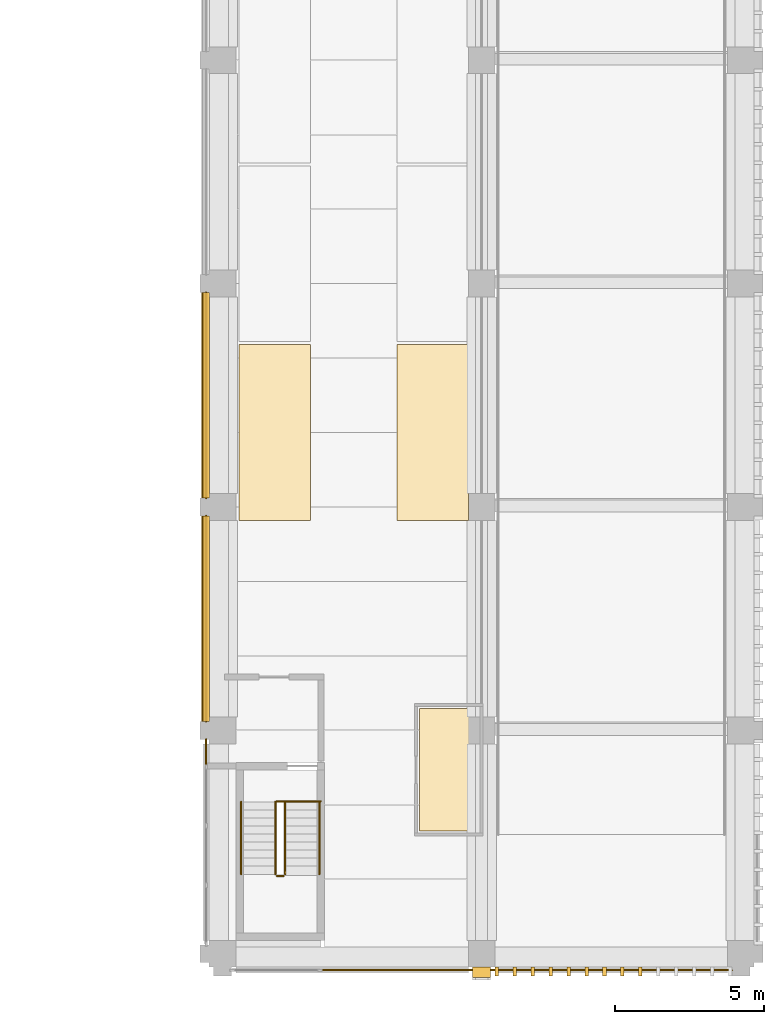
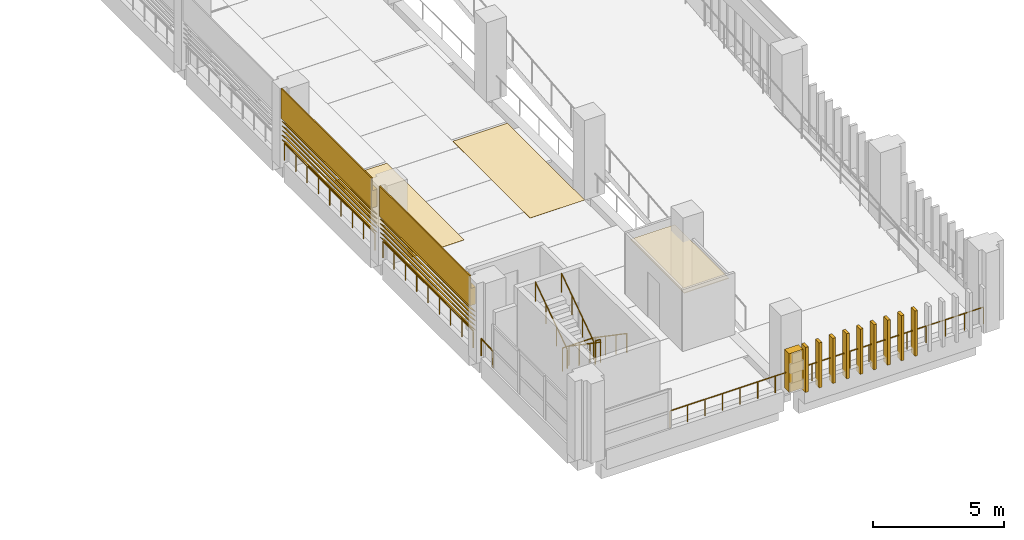
# One storey, part 47 of 57: 15 coverings, 11 railings, 10 shading devices.
"""IFC4 building model written with IfcOpenShell, lengths in metres."""

from ifc_helpers import new_model, si_unit, direction, frame, origin, origin_2d, place, context, subcontext, project, spatial, polyline, circle, outline, extrude, material, layer, layer_set, type_object, element, save


model = new_model("IFC4")

# Units and contexts
model_context = context("Model", 3, precision=1e-05, world=origin(), true_north=direction((0.0, 1.0)))
body_context = subcontext(model_context, "Body", "Model", "MODEL_VIEW")
ifc_project = project(units=[si_unit("LENGTHUNIT", "METRE"), si_unit("AREAUNIT", "SQUARE_METRE"), si_unit("VOLUMEUNIT", "CUBIC_METRE"), si_unit("PLANEANGLEUNIT", "RADIAN"), si_unit("MASSUNIT", "GRAM", prefix="KILO")], contexts=[model_context])

# Site, building, storey
site_placement = place(None, origin())
site = spatial("IfcSite", under=ifc_project, at=site_placement, CompositionType="ELEMENT")
building_placement = place(site_placement, origin())
building = spatial("IfcBuilding", under=site, at=building_placement, Name="Cour d'Honneur Mobility Palace", CompositionType="ELEMENT")
storey_placement = place(building_placement, frame((0.0, 0.0, 8.199951171875)))
storey = spatial("IfcBuildingStorey", under=building, at=storey_placement, Name="L02", CompositionType="ELEMENT", Elevation=8.199951171875)

# Railings
ifc_material_1 = material(Name="Painted steel", Category="steel")
railing_type_1 = type_object("IfcRailingType", Name="Balustrade", PredefinedType="BALUSTRADE", material=ifc_material_1)
for number, where, name in (
    (1, (144.35009765625, 22.199951171875, 0.300048828125), "Balustrade BAL-91"),
    (2, (144.35009765625, 14.699951171875, 0.300048828125), "Balustrade BAL-92"),
):
    element("IfcRailing", number, at=place(storey_placement, frame(where)), inside=storey, type_object=railing_type_1, Name=name, PredefinedType="BALUSTRADE", context=body_context, shape_type="SweptSolid", body=[
        extrude(circle(Radius=0.02392578125, at=origin_2d()), frame((0.0, 0.0, 0.77587890625), z_axis=(0.0, -1.0, 0.0), x_axis=(1.0, 0.0, 0.0)), (0.0, 0.0, 1.0), 6.89990234375),
        extrude(circle(Radius=0.02099609375, at=origin_2d()), origin(), (0.0, 0.0, 1.0), 0.751953125),
        extrude(circle(Radius=0.02099609375, at=origin_2d()), frame((0.0, -0.862548828125, 0.0)), (0.0, 0.0, 1.0), 0.751953125),
        extrude(circle(Radius=0.02099609375, at=origin_2d()), frame((0.0, -1.72509765625, 0.0)), (0.0, 0.0, 1.0), 0.751953125),
        extrude(circle(Radius=0.02099609375, at=origin_2d()), frame((0.0, -2.58740234375, 0.0)), (0.0, 0.0, 1.0), 0.751953125),
        extrude(circle(Radius=0.02099609375, at=origin_2d()), frame((0.0, -3.449951171875, 0.0)), (0.0, 0.0, 1.0), 0.751953125),
        extrude(circle(Radius=0.02099609375, at=origin_2d()), frame((0.0, -4.3125, 0.0)), (0.0, 0.0, 1.0), 0.751953125),
        extrude(circle(Radius=0.02099609375, at=origin_2d()), frame((0.0, -5.1748046875, 0.0)), (0.0, 0.0, 1.0), 0.751953125),
        extrude(circle(Radius=0.02099609375, at=origin_2d()), frame((0.0, -6.037353515625, 0.0)), (0.0, 0.0, 1.0), 0.751953125),
        extrude(circle(Radius=0.02099609375, at=origin_2d()), frame((0.0, -6.89990234375, 0.0)), (0.0, 0.0, 1.0), 0.751953125),
    ])
railing_1_placement = place(storey_placement, frame((144.35009765625, 7.199951171875, 0.300048828125)))
element("IfcRailing", 3, at=railing_1_placement, inside=storey, type_object=railing_type_1, Name="Balustrade BAL-93", PredefinedType="BALUSTRADE", context=body_context, shape_type="SweptSolid", body=[
    extrude(circle(Radius=0.02392578125, at=origin_2d()), frame((0.0, 0.0, 0.77587890625), z_axis=(0.0, -1.0, 0.0), x_axis=(1.0, 0.0, 0.0)), (0.0, 0.0, 1.0), 0.89990234375),
    extrude(circle(Radius=0.02099609375, at=origin_2d()), origin(), (0.0, 0.0, 1.0), 0.751953125),
    extrude(circle(Radius=0.02099609375, at=origin_2d()), frame((0.0, -0.89990234375, 0.0)), (0.0, 0.0, 1.0), 0.751953125),
])
railing_2_placement = place(storey_placement, frame((148.199951171875, -0.550048828125, 0.300048828125)))
element("IfcRailing", 4, at=railing_2_placement, inside=storey, type_object=railing_type_1, Name="Balustrade BAL-94", PredefinedType="BALUSTRADE", context=body_context, shape_type="SweptSolid", body=[
    extrude(circle(Radius=0.02392578125, at=origin_2d()), frame((0.0, 0.0, 0.77587890625), z_axis=(1.0, 0.0, 0.0), x_axis=(0.0, 1.0, 0.0)), (0.0, 0.0, 1.0), 5.400146484375),
    extrude(circle(Radius=0.02099609375, at=origin_2d()), origin(), (0.0, 0.0, 1.0), 0.751953125),
    extrude(circle(Radius=0.02099609375, at=origin_2d()), frame((0.771484375, 0.0, 0.0)), (0.0, 0.0, 1.0), 0.751953125),
    extrude(circle(Radius=0.02099609375, at=origin_2d()), frame((1.54296875, 0.0, 0.0)), (0.0, 0.0, 1.0), 0.751953125),
    extrude(circle(Radius=0.02099609375, at=origin_2d()), frame((2.314453125, 0.0, 0.0)), (0.0, 0.0, 1.0), 0.751953125),
    extrude(circle(Radius=0.02099609375, at=origin_2d()), frame((3.085693359375, 0.0, 0.0)), (0.0, 0.0, 1.0), 0.751953125),
    extrude(circle(Radius=0.02099609375, at=origin_2d()), frame((3.857177734375, 0.0, 0.0)), (0.0, 0.0, 1.0), 0.751953125),
    extrude(circle(Radius=0.02099609375, at=origin_2d()), frame((4.628662109375, 0.0, 0.0)), (0.0, 0.0, 1.0), 0.751953125),
    extrude(circle(Radius=0.02099609375, at=origin_2d()), frame((5.400146484375, 0.0, 0.0)), (0.0, 0.0, 1.0), 0.751953125),
])
railing_3_placement = place(storey_placement, frame((153.60009765625, -0.550048828125, 0.300048828125)))
element("IfcRailing", 5, at=railing_3_placement, inside=storey, type_object=railing_type_1, Name="Balustrade BAL-95", PredefinedType="BALUSTRADE", context=body_context, shape_type="SweptSolid", body=[
    extrude(circle(Radius=0.02392578125, at=origin_2d()), frame((0.0, 0.0, 0.77587890625), z_axis=(1.0, 0.0, 0.0), x_axis=(0.0, 1.0, 0.0)), (0.0, 0.0, 1.0), 8.39990234375),
    extrude(circle(Radius=0.02099609375, at=origin_2d()), origin(), (0.0, 0.0, 1.0), 0.751953125),
    extrude(circle(Radius=0.02099609375, at=origin_2d()), frame((0.840087890625, 0.0, 0.0)), (0.0, 0.0, 1.0), 0.751953125),
    extrude(circle(Radius=0.02099609375, at=origin_2d()), frame((1.679931640625, 0.0, 0.0)), (0.0, 0.0, 1.0), 0.751953125),
    extrude(circle(Radius=0.02099609375, at=origin_2d()), frame((2.52001953125, 0.0, 0.0)), (0.0, 0.0, 1.0), 0.751953125),
    extrude(circle(Radius=0.02099609375, at=origin_2d()), frame((3.35986328125, 0.0, 0.0)), (0.0, 0.0, 1.0), 0.751953125),
    extrude(circle(Radius=0.02099609375, at=origin_2d()), frame((4.199951171875, 0.0, 0.0)), (0.0, 0.0, 1.0), 0.751953125),
    extrude(circle(Radius=0.02099609375, at=origin_2d()), frame((5.0400390625, 0.0, 0.0)), (0.0, 0.0, 1.0), 0.751953125),
    extrude(circle(Radius=0.02099609375, at=origin_2d()), frame((5.8798828125, 0.0, 0.0)), (0.0, 0.0, 1.0), 0.751953125),
    extrude(circle(Radius=0.02099609375, at=origin_2d()), frame((6.719970703125, 0.0, 0.0)), (0.0, 0.0, 1.0), 0.751953125),
    extrude(circle(Radius=0.02099609375, at=origin_2d()), frame((7.559814453125, 0.0, 0.0)), (0.0, 0.0, 1.0), 0.751953125),
    extrude(circle(Radius=0.02099609375, at=origin_2d()), frame((8.39990234375, 0.0, 0.0)), (0.0, 0.0, 1.0), 0.751953125),
])
ifc_material_2 = material(Name="Painted steel", Category="steel")
railing_type_2 = type_object("IfcRailingType", Name="Guardrail 1100", PredefinedType="GUARDRAIL", material=ifc_material_2)
railing_4_placement = place(storey_placement, frame((146.72509765625, 5.1201171875, 0.0)))
element("IfcRailing", 6, at=railing_4_placement, inside=storey, type_object=railing_type_2, Name="Guard ST-RE1", PredefinedType="GUARDRAIL", context=body_context, shape_type="SweptSolid", body=[
    extrude(circle(Radius=0.02490234375, at=origin_2d()), frame((0.0, 0.0, 1.0751953125), z_axis=(1.0, 0.0, 0.0), x_axis=(0.0, 1.0, 0.0)), (0.0, 0.0, 1.0), 1.474853515625),
    extrude(circle(Radius=0.02099609375, at=origin_2d()), origin(), (0.0, 0.0, 1.0), 1.050048828125),
    extrude(circle(Radius=0.02099609375, at=origin_2d()), frame((0.7373046875, 0.0, 0.0)), (0.0, 0.0, 1.0), 1.050048828125),
    extrude(circle(Radius=0.02099609375, at=origin_2d()), frame((1.474853515625, 0.0, 0.0)), (0.0, 0.0, 1.0), 1.050048828125),
])
railing_5_placement = place(storey_placement, frame((146.72509765625, 2.610107421875, 1.85009765625)))
element("IfcRailing", 7, at=railing_5_placement, inside=storey, type_object=railing_type_2, Name="Landing guard ST-RE1", PredefinedType="GUARDRAIL", context=body_context, shape_type="SweptSolid", body=[
    extrude(circle(Radius=0.02490234375, at=origin_2d()), frame((0.0, 0.0, 1.0751953125), z_axis=(1.0, 0.0, 0.0), x_axis=(0.0, 1.0, 0.0)), (0.0, 0.0, 1.0), 0.224853515625),
    extrude(circle(Radius=0.02099609375, at=origin_2d()), origin(), (0.0, 0.0, 1.0), 1.050048828125),
    extrude(circle(Radius=0.02099609375, at=origin_2d()), frame((0.224853515625, 0.0, 0.0)), (0.0, 0.0, 1.0), 1.050048828125),
])
ifc_material_3 = material(Name="Stainless steel", Category="steel")
railing_type_3 = type_object("IfcRailingType", Name="Handrail round 50", PredefinedType="HANDRAIL", material=ifc_material_3)
for number, where, name in (
    (8, (148.14990234375, 5.10009765625, 0.18505859375), "Handrail ST-RE1"),
    (9, (147.0, 5.10009765625, 0.18505859375), "Handrail ST-RE1"),
):
    element("IfcRailing", number, at=place(storey_placement, frame(where)), inside=storey, type_object=railing_type_3, Name=name, PredefinedType="HANDRAIL", context=body_context, shape_type="SweptSolid", body=[
        extrude(circle(Radius=0.02490234375, at=origin_2d()), frame((0.0, 0.0, 0.89501953125), z_axis=(0.0, -0.824945253146, 0.565212640793), x_axis=(1.0, 0.0, 0.0)), (0.0, 0.0, 1.0), 2.94580078125),
        extrude(circle(Radius=0.02099609375, at=origin_2d()), origin(), (0.0, 0.0, 1.0), 0.869873046875),
        extrude(circle(Radius=0.02099609375, at=origin_2d()), frame((0.0, -0.81005859375, 0.554931640625)), (0.0, 0.0, 1.0), 0.869873046875),
        extrude(circle(Radius=0.02099609375, at=origin_2d()), frame((0.0, -1.6201171875, 1.110107421875)), (0.0, 0.0, 1.0), 0.869873046875),
        extrude(circle(Radius=0.02099609375, at=origin_2d()), frame((0.0, -2.43017578125, 1.6650390625)), (0.0, 0.0, 1.0), 0.869873046875),
    ])
for number, where, name in (
    (10, (146.675048828125, 2.669921875, 2.03515625), "Handrail ST-RE1"),
    (11, (145.52490234375, 2.669921875, 2.03515625), "Handrail ST-RE1"),
):
    element("IfcRailing", number, at=place(storey_placement, frame(where)), inside=storey, type_object=railing_type_3, Name=name, PredefinedType="HANDRAIL", context=body_context, shape_type="SweptSolid", body=[
        extrude(circle(Radius=0.02490234375, at=origin_2d()), frame((0.0, 0.0, 0.89501953125), z_axis=(0.0, 0.824983895463, 0.565156237006), x_axis=(-1.0, 0.0, 0.0)), (0.0, 0.0, 1.0), 2.94580078125),
        extrude(circle(Radius=0.02099609375, at=origin_2d()), origin(), (0.0, 0.0, 1.0), 0.869873046875),
        extrude(circle(Radius=0.02099609375, at=origin_2d()), frame((0.0, 0.81005859375, 0.554931640625)), (0.0, 0.0, 1.0), 0.869873046875),
        extrude(circle(Radius=0.02099609375, at=origin_2d()), frame((0.0, 1.6201171875, 1.10986328125)), (0.0, 0.0, 1.0), 0.869873046875),
        extrude(circle(Radius=0.02099609375, at=origin_2d()), frame((0.0, 2.43017578125, 1.664794921875)), (0.0, 0.0, 1.0), 0.869873046875),
    ])

# Coverings
ifc_material_4 = material(Name="Parking marking paint")
ifc_layer_1 = layer(ifc_material_4, 0.0048828125)
ifc_layer_set_1 = layer_set([ifc_layer_1], Name="Parking marking paint")
covering_type_1 = type_object("IfcCoveringType", Name="Parking bay marking", PredefinedType="FLOORING", material=ifc_layer_set_1)
covering_1_placement = place(storey_placement, origin())
element("IfcCovering", 12, at=covering_1_placement, inside=storey, type_object=covering_type_1, Name="Parking bay marking L02 78", PredefinedType="FLOORING", context=body_context, shape_type="SweptSolid", body=[
    extrude(outline(polyline([(153.14990234375, 14.550048828125), (150.75, 14.550048828125), (150.75, 20.449951171875), (153.14990234375, 20.449951171875), (153.14990234375, 14.550048828125)])), origin(), (0.0, 0.0, 1.0), 0.005126953125),
])
covering_2_placement = place(storey_placement, origin())
element("IfcCovering", 13, at=covering_2_placement, inside=storey, type_object=covering_type_1, Name="Parking bay marking L02 82", PredefinedType="FLOORING", context=body_context, shape_type="SweptSolid", body=[
    extrude(outline(polyline([(147.85009765625, 14.550048828125), (145.449951171875, 14.550048828125), (145.449951171875, 20.449951171875), (147.85009765625, 20.449951171875), (147.85009765625, 14.550048828125)])), origin(), (0.0, 0.0, 1.0), 0.005126953125),
])
ifc_material_5 = material(Name="Cast limestone", Category="masonry")
ifc_layer_2 = layer(ifc_material_5, 0.35009765625)
ifc_layer_set_2 = layer_set([ifc_layer_2], Name="Cast limestone")
covering_type_2 = type_object("IfcCoveringType", Name="Pier pilaster", PredefinedType="CLADDING", material=ifc_layer_set_2)
covering_3_placement = place(storey_placement, frame((0.0, 0.0, 0.300048828125)))
element("IfcCovering", 14, at=covering_3_placement, inside=storey, type_object=covering_type_2, Name="Pier pilaster PN-4", PredefinedType="CLADDING", context=body_context, shape_type="SweptSolid", body=[
    extrude(outline(polyline([(153.300048828125, -0.449951171875), (153.89990234375, -0.449951171875), (153.89990234375, -0.800048828125), (153.300048828125, -0.800048828125), (153.300048828125, -0.449951171875)])), origin(), (0.0, 0.0, 1.0), 1.800048828125),
])
ifc_material_6 = material(Name="Cast limestone", Category="masonry")
ifc_layer_3 = layer(ifc_material_6, 0.1201171875)
ifc_layer_set_3 = layer_set([ifc_layer_3], Name="Cast limestone")
covering_type_3 = type_object("IfcCoveringType", Name="Ramp screen fin", PredefinedType="CLADDING", material=ifc_layer_set_3)
covering_4_placement = place(storey_placement, origin())
element("IfcCovering", 15, at=covering_4_placement, inside=storey, type_object=covering_type_3, Name="Ramp screen fin S4.1 L02 1", PredefinedType="CLADDING", context=body_context, shape_type="SweptSolid", body=[
    extrude(outline(polyline([(154.050048828125, -0.449951171875), (154.169921875, -0.449951171875), (154.169921875, -0.75), (154.050048828125, -0.75), (154.050048828125, -0.449951171875)])), origin(), (0.0, 0.0, 1.0), 2.10009765625),
])
covering_5_placement = place(storey_placement, origin())
element("IfcCovering", 16, at=covering_5_placement, inside=storey, type_object=covering_type_3, Name="Ramp screen fin S4.1 L02 2", PredefinedType="CLADDING", context=body_context, shape_type="SweptSolid", body=[
    extrude(outline(polyline([(154.65234375, -0.449951171875), (154.772216796875, -0.449951171875), (154.772216796875, -0.75), (154.65234375, -0.75), (154.65234375, -0.449951171875)])), origin(), (0.0, 0.0, 1.0), 2.10009765625),
])
covering_6_placement = place(storey_placement, origin())
element("IfcCovering", 17, at=covering_6_placement, inside=storey, type_object=covering_type_3, Name="Ramp screen fin S4.1 L02 3", PredefinedType="CLADDING", context=body_context, shape_type="SweptSolid", body=[
    extrude(outline(polyline([(155.254638671875, -0.449951171875), (155.37451171875, -0.449951171875), (155.37451171875, -0.75), (155.254638671875, -0.75), (155.254638671875, -0.449951171875)])), origin(), (0.0, 0.0, 1.0), 2.10009765625),
])
covering_7_placement = place(storey_placement, origin())
element("IfcCovering", 18, at=covering_7_placement, inside=storey, type_object=covering_type_3, Name="Ramp screen fin S4.1 L02 4", PredefinedType="CLADDING", context=body_context, shape_type="SweptSolid", body=[
    extrude(outline(polyline([(155.85693359375, -0.449951171875), (155.976806640625, -0.449951171875), (155.976806640625, -0.75), (155.85693359375, -0.75), (155.85693359375, -0.449951171875)])), origin(), (0.0, 0.0, 1.0), 2.10009765625),
])
covering_8_placement = place(storey_placement, origin())
element("IfcCovering", 19, at=covering_8_placement, inside=storey, type_object=covering_type_3, Name="Ramp screen fin S4.1 L02 5", PredefinedType="CLADDING", context=body_context, shape_type="SweptSolid", body=[
    extrude(outline(polyline([(156.459228515625, -0.449951171875), (156.579345703125, -0.449951171875), (156.579345703125, -0.75), (156.459228515625, -0.75), (156.459228515625, -0.449951171875)])), origin(), (0.0, 0.0, 1.0), 2.10009765625),
])
covering_9_placement = place(storey_placement, origin())
element("IfcCovering", 20, at=covering_9_placement, inside=storey, type_object=covering_type_3, Name="Ramp screen fin S4.1 L02 6", PredefinedType="CLADDING", context=body_context, shape_type="SweptSolid", body=[
    extrude(outline(polyline([(157.0615234375, -0.449951171875), (157.181640625, -0.449951171875), (157.181640625, -0.75), (157.0615234375, -0.75), (157.0615234375, -0.449951171875)])), origin(), (0.0, 0.0, 1.0), 2.10009765625),
])
covering_10_placement = place(storey_placement, origin())
element("IfcCovering", 21, at=covering_10_placement, inside=storey, type_object=covering_type_3, Name="Ramp screen fin S4.1 L02 7", PredefinedType="CLADDING", context=body_context, shape_type="SweptSolid", body=[
    extrude(outline(polyline([(157.663818359375, -0.449951171875), (157.783935546875, -0.449951171875), (157.783935546875, -0.75), (157.663818359375, -0.75), (157.663818359375, -0.449951171875)])), origin(), (0.0, 0.0, 1.0), 2.10009765625),
])
covering_11_placement = place(storey_placement, origin())
element("IfcCovering", 22, at=covering_11_placement, inside=storey, type_object=covering_type_3, Name="Ramp screen fin S4.1 L02 8", PredefinedType="CLADDING", context=body_context, shape_type="SweptSolid", body=[
    extrude(outline(polyline([(158.26611328125, -0.449951171875), (158.38623046875, -0.449951171875), (158.38623046875, -0.75), (158.26611328125, -0.75), (158.26611328125, -0.449951171875)])), origin(), (0.0, 0.0, 1.0), 2.10009765625),
])
covering_12_placement = place(storey_placement, origin())
element("IfcCovering", 23, at=covering_12_placement, inside=storey, type_object=covering_type_3, Name="Ramp screen fin S4.1 L02 9", PredefinedType="CLADDING", context=body_context, shape_type="SweptSolid", body=[
    extrude(outline(polyline([(158.868408203125, -0.449951171875), (158.988525390625, -0.449951171875), (158.988525390625, -0.75), (158.868408203125, -0.75), (158.868408203125, -0.449951171875)])), origin(), (0.0, 0.0, 1.0), 2.10009765625),
])
ifc_material_7 = material(Name="Cast limestone", Category="masonry")
ifc_layer_4 = layer(ifc_material_7, 0.25)
ifc_layer_set_4 = layer_set([ifc_layer_4], Name="Cast limestone")
covering_type_4 = type_object("IfcCoveringType", Name="Spandrel cladding", PredefinedType="CLADDING", material=ifc_layer_set_4)
for number, where, z_axis, x_axis, name in (
    (24, (144.449951171875, 22.199951171875, 2.300048828125), (0.0, 1.0, 0.0), (-1.0, 0.0, 0.0), "Spandrel cladding SK-159"),
    (25, (144.449951171875, 14.699951171875, 2.300048828125), (0.0, 1.0, 0.0), (-1.0, 0.0, 0.0), "Spandrel cladding SK-160"),
):
    element("IfcCovering", number, at=place(storey_placement, frame(where, z_axis=z_axis, x_axis=x_axis)), inside=storey, type_object=covering_type_4, Name=name, PredefinedType="CLADDING", context=body_context, shape_type="SweptSolid", body=[
        extrude(outline(polyline([(0.0, 0.0), (0.25, 0.0), (0.25, 1.39990234375), (0.199951171875, 1.39990234375), (0.199951171875, 0.800048828125), (0.0, 0.800048828125), (0.0, 0.0)])), origin(), (0.0, 0.0, -1.0), 6.89990234375),
    ])
ifc_material_8 = material(Name="Suspended ceiling")
ifc_layer_5 = layer(ifc_material_8, 0.030029296875)
ifc_layer_set_5 = layer_set([ifc_layer_5], Name="Suspended ceiling")
covering_type_5 = type_object("IfcCoveringType", Name="Suspended ceiling", PredefinedType="CEILING", material=ifc_layer_set_5)
covering_13_placement = place(storey_placement, frame((0.0, 0.0, 2.550048828125)))
element("IfcCovering", 26, at=covering_13_placement, inside=storey, type_object=covering_type_5, Name="Ceiling Attendant Room East", PredefinedType="CEILING", context=body_context, shape_type="SweptSolid", body=[
    extrude(outline(polyline([(153.47998046875, 4.1201171875), (151.52001953125, 4.1201171875), (151.52001953125, 8.22998046875), (153.47998046875, 8.22998046875), (153.47998046875, 4.1201171875)])), origin(), (0.0, 0.0, 1.0), 0.030029296875),
])

# Shading devices
ifc_material_9 = material(Name="Terracotta", Category="masonry")
ifc_layer_6 = layer(ifc_material_9, 0.02490234375)
ifc_layer_set_6 = layer_set([ifc_layer_6], Name="Terracotta")
shading_device_type = type_object("IfcShadingDeviceType", Name="Terracotta louvre blade", PredefinedType="JALOUSIE", material=ifc_layer_set_6)
for number, where, z_axis, x_axis, name in (
    (27, (144.4560546875, 22.199951171875, 1.10009765625), (0.707106781187, 0.0, 0.707106781187), (0.0, -1.0, 0.0), "Louvre blade LV-1 W3.3 L02 1"),
    (28, (144.4560546875, 22.199951171875, 1.312255859375), (0.707106781187, 0.0, 0.707106781187), (0.0, -1.0, 0.0), "Louvre blade LV-1 W3.3 L02 2"),
):
    element("IfcShadingDevice", number, at=place(storey_placement, frame(where, z_axis=z_axis, x_axis=x_axis)), inside=storey, type_object=shading_device_type, Name=name, PredefinedType="JALOUSIE", context=body_context, shape_type="SweptSolid", body=[
        extrude(outline(polyline([(0.0, 0.0), (6.89990234375, 0.0), (6.89990234375, -0.300037008228081), (0.0, -0.300037008228081), (0.0, 0.0)])), origin(), (0.0, 0.0, -1.0), 0.02490234375),
    ])
shading_device_1_placement = place(storey_placement, frame((144.4560546875, 22.199951171875, 1.5244140625), z_axis=(0.706699578995, 0.0, 0.707513749017), x_axis=(0.0, -1.0, 0.0)))
element("IfcShadingDevice", 29, at=shading_device_1_placement, inside=storey, type_object=shading_device_type, Name="Louvre blade LV-1 W3.3 L02 3", PredefinedType="JALOUSIE", context=body_context, shape_type="SweptSolid", body=[
    extrude(outline(polyline([(0.0, 0.0), (6.89990234375, 0.0), (6.89990234375, -0.29986442442957895), (0.0, -0.29986442442957895), (0.0, 0.0)])), origin(), (0.0, 0.0, -1.0), 0.02490234375),
])
for number, where, z_axis, x_axis, name in (
    (30, (144.4560546875, 22.199951171875, 1.736328125), (0.707106781187, 0.0, 0.707106781187), (0.0, -1.0, 0.0), "Louvre blade LV-1 W3.3 L02 4"),
    (31, (144.4560546875, 22.199951171875, 1.948486328125), (0.707106781187, 0.0, 0.707106781187), (0.0, -1.0, 0.0), "Louvre blade LV-1 W3.3 L02 5"),
    (32, (144.4560546875, 14.699951171875, 1.10009765625), (0.707106781187, 0.0, 0.707106781187), (0.0, -1.0, 0.0), "Louvre blade LV-1 W3.4 L02 1"),
    (33, (144.4560546875, 14.699951171875, 1.312255859375), (0.707106781187, 0.0, 0.707106781187), (0.0, -1.0, 0.0), "Louvre blade LV-1 W3.4 L02 2"),
):
    element("IfcShadingDevice", number, at=place(storey_placement, frame(where, z_axis=z_axis, x_axis=x_axis)), inside=storey, type_object=shading_device_type, Name=name, PredefinedType="JALOUSIE", context=body_context, shape_type="SweptSolid", body=[
        extrude(outline(polyline([(0.0, 0.0), (6.89990234375, 0.0), (6.89990234375, -0.300037008228081), (0.0, -0.300037008228081), (0.0, 0.0)])), origin(), (0.0, 0.0, -1.0), 0.02490234375),
    ])
shading_device_2_placement = place(storey_placement, frame((144.4560546875, 14.699951171875, 1.5244140625), z_axis=(0.706699578995, 0.0, 0.707513749017), x_axis=(0.0, -1.0, 0.0)))
element("IfcShadingDevice", 34, at=shading_device_2_placement, inside=storey, type_object=shading_device_type, Name="Louvre blade LV-1 W3.4 L02 3", PredefinedType="JALOUSIE", context=body_context, shape_type="SweptSolid", body=[
    extrude(outline(polyline([(0.0, 0.0), (6.89990234375, 0.0), (6.89990234375, -0.29986442442957895), (0.0, -0.29986442442957895), (0.0, 0.0)])), origin(), (0.0, 0.0, -1.0), 0.02490234375),
])
for number, where, z_axis, x_axis, name in (
    (35, (144.4560546875, 14.699951171875, 1.736328125), (0.707106781187, 0.0, 0.707106781187), (0.0, -1.0, 0.0), "Louvre blade LV-1 W3.4 L02 4"),
    (36, (144.4560546875, 14.699951171875, 1.948486328125), (0.707106781187, 0.0, 0.707106781187), (0.0, -1.0, 0.0), "Louvre blade LV-1 W3.4 L02 5"),
):
    element("IfcShadingDevice", number, at=place(storey_placement, frame(where, z_axis=z_axis, x_axis=x_axis)), inside=storey, type_object=shading_device_type, Name=name, PredefinedType="JALOUSIE", context=body_context, shape_type="SweptSolid", body=[
        extrude(outline(polyline([(0.0, 0.0), (6.89990234375, 0.0), (6.89990234375, -0.300037008228081), (0.0, -0.300037008228081), (0.0, 0.0)])), origin(), (0.0, 0.0, -1.0), 0.02490234375),
    ])

save(model, "model.ifc")
